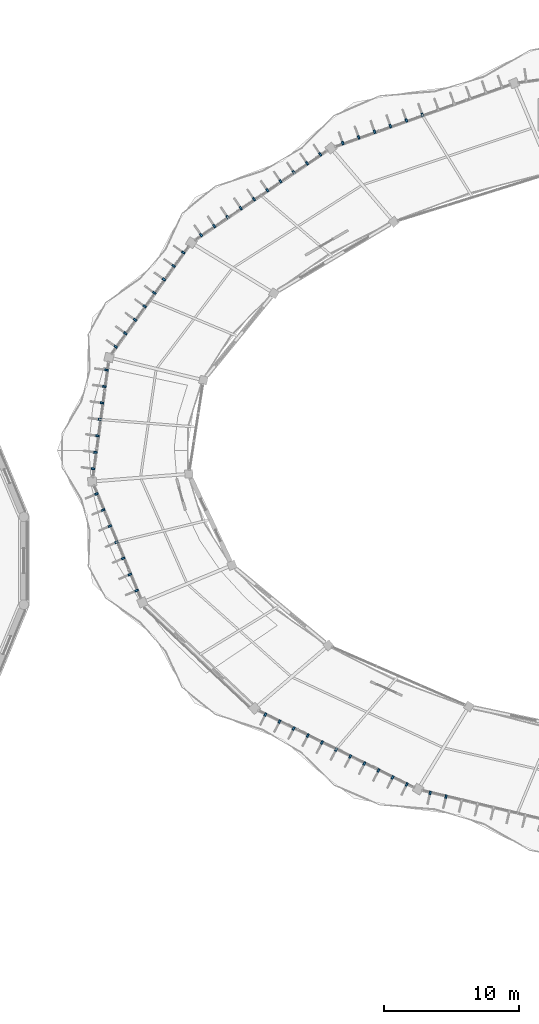
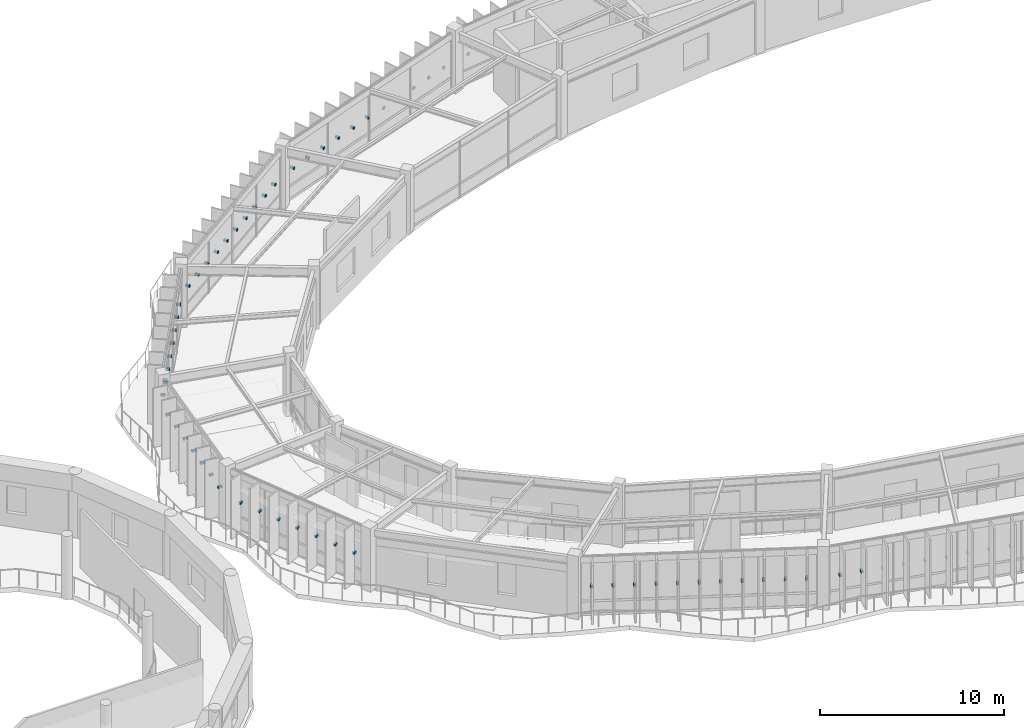
# One storey, part 100 of 114: 51 discrete accessories.
"""IFC4 building model written with IfcOpenShell, lengths in metres."""

from ifc_helpers import new_model, si_unit, direction, frame, origin, origin_2d, place, context, subcontext, project, spatial, rectangle, extrude, material, type_object, element, save


model = new_model("IFC4")

# Units and contexts
model_context = context("Model", 3, precision=1e-05, world=origin(), true_north=direction((0.0, 1.0)))
body_context = subcontext(model_context, "Body", "Model", "MODEL_VIEW")
ifc_project = project(units=[si_unit("LENGTHUNIT", "METRE"), si_unit("AREAUNIT", "SQUARE_METRE"), si_unit("VOLUMEUNIT", "CUBIC_METRE"), si_unit("PLANEANGLEUNIT", "RADIAN"), si_unit("MASSUNIT", "GRAM", prefix="KILO"), si_unit("THERMODYNAMICTEMPERATUREUNIT", "KELVIN"), si_unit("POWERUNIT", "WATT")], contexts=[model_context])

# Site, building, storey
site_placement = place(None, origin())
site = spatial("IfcSite", under=ifc_project, at=site_placement, CompositionType="ELEMENT")
building_placement = place(site_placement, origin())
building = spatial("IfcBuilding", under=site, at=building_placement, Name="Darbajah Civic Hall", CompositionType="ELEMENT")
storey_placement = place(building_placement, frame((0.0, 0.0, 13.800048828125)))
storey = spatial("IfcBuildingStorey", under=building, at=storey_placement, Name="L03", CompositionType="ELEMENT", Elevation=13.800048828125)

# Discrete accessories
ifc_material = material(Name="Stainless Steel S355JR", Category="steel")
discrete_accessory_type = type_object("IfcDiscreteAccessoryType", Name="Stainless Facade Support Bracket", PredefinedType="BRACKET", material=ifc_material)
for number, where, z_axis, x_axis, name in (
    (1, (62.760498046875, 114.69970703125, 1.89013671875), (0.0, 0.0, 1.0), (-0.334135882844, 0.94252491309, 0.0), "L03 shading fin bracket 06-6"),
    (2, (61.579833984375, 114.28125, 1.89013671875), (0.0, 0.0, 1.0), (-0.334135882844, 0.94252491309, 0.0), "L03 shading fin bracket 06-7"),
    (3, (60.39892578125, 113.86279296875, 1.89013671875), (0.0, 0.0, 1.0), (-0.334135882844, 0.94252491309, 0.0), "L03 shading fin bracket 06-8"),
    (4, (59.21826171875, 113.444091796875, 1.89013671875), (0.0, 0.0, 1.0), (-0.334135882844, 0.94252491309, 0.0), "L03 shading fin bracket 06-9"),
    (5, (58.037353515625, 113.025634765625, 1.89013671875), (0.0, 0.0, 1.0), (-0.334135882844, 0.94252491309, 0.0), "L03 shading fin bracket 06-10"),
    (6, (56.856689453125, 112.60693359375, 1.89013671875), (0.0, 0.0, 1.0), (-0.334135882844, 0.94252491309, 0.0), "L03 shading fin bracket 06-11"),
    (7, (55.1826171875, 111.765625, 1.89013671875), (0.0, 0.0, 1.0), (-0.560783509816, 0.827962472047, 0.0), "L03 shading fin bracket 07-1"),
    (8, (54.20068359375, 111.1005859375, 1.89013671875), (0.0, 0.0, 1.0), (-0.560783509816, 0.827962472047, 0.0), "L03 shading fin bracket 07-2"),
    (9, (53.218505859375, 110.435302734375, 1.89013671875), (0.0, 0.0, 1.0), (-0.560783509816, 0.827962472047, 0.0), "L03 shading fin bracket 07-3"),
    (10, (52.236328125, 109.770263671875, 1.89013671875), (0.0, 0.0, 1.0), (-0.560783509816, 0.827962472047, 0.0), "L03 shading fin bracket 07-4"),
    (11, (51.254150390625, 109.10498046875, 1.89013671875), (0.0, 0.0, 1.0), (-0.560783509816, 0.827962472047, 0.0), "L03 shading fin bracket 07-5"),
    (12, (50.27197265625, 108.43994140625, 1.89013671875), (0.0, 0.0, 1.0), (-0.560783509816, 0.827962472047, 0.0), "L03 shading fin bracket 07-6"),
    (13, (49.289794921875, 107.77490234375, 1.89013671875), (0.0, 0.0, 1.0), (-0.560783509816, 0.827962472047, 0.0), "L03 shading fin bracket 07-7"),
    (14, (48.307861328125, 107.109619140625, 1.89013671875), (0.0, 0.0, 1.0), (-0.560783509816, 0.827962472047, 0.0), "L03 shading fin bracket 07-8"),
    (15, (47.32568359375, 106.444580078125, 1.89013671875), (0.0, 0.0, 1.0), (-0.560783509816, 0.827962472047, 0.0), "L03 shading fin bracket 07-9"),
    (16, (46.343505859375, 105.779296875, 1.89013671875), (0.0, 0.0, 1.0), (-0.560783509816, 0.827962472047, 0.0), "L03 shading fin bracket 07-10"),
    (17, (45.018310546875, 104.48291015625, 1.89013671875), (0.0, 0.0, 1.0), (-0.812999149039, 0.582264874145, 0.0), "L03 shading fin bracket 08-1"),
    (18, (44.302734375, 103.483642578125, 1.89013671875), (0.0, 0.0, 1.0), (-0.812999149039, 0.582264874145, 0.0), "L03 shading fin bracket 08-2"),
    (19, (43.5869140625, 102.484130859375, 1.89013671875), (0.0, 0.0, 1.0), (-0.812999149039, 0.582264874145, 0.0), "L03 shading fin bracket 08-3"),
    (20, (42.871337890625, 101.48486328125, 1.89013671875), (0.0, 0.0, 1.0), (-0.812999149039, 0.582264874145, 0.0), "L03 shading fin bracket 08-4"),
    (21, (42.155517578125, 100.4853515625, 1.89013671875), (0.0, 0.0, 1.0), (-0.812999149039, 0.582264874145, 0.0), "L03 shading fin bracket 08-5"),
    (22, (41.43994140625, 99.486083984375, 1.89013671875), (0.0, 0.0, 1.0), (-0.812999149039, 0.582264874145, 0.0), "L03 shading fin bracket 08-6"),
    (23, (40.72412109375, 98.486572265625, 1.89013671875), (0.0, 0.0, 1.0), (-0.812999149039, 0.582264874145, 0.0), "L03 shading fin bracket 08-7"),
    (24, (40.008544921875, 97.487060546875, 1.89013671875), (0.0, 0.0, 1.0), (-0.812999149039, 0.582264874145, 0.0), "L03 shading fin bracket 08-8"),
    (25, (39.322509765625, 95.759765625, 1.89013671875), (0.0, 0.0, 1.0), (-0.990865897387, 0.134850930274, 0.0), "L03 shading fin bracket 09-1"),
    (26, (39.15625, 94.537841796875, 1.89013671875), (0.0, 0.0, 1.0), (-0.990865897387, 0.134850930274, 0.0), "L03 shading fin bracket 09-2"),
    (27, (38.989990234375, 93.31591796875, 1.89013671875), (0.0, 0.0, 1.0), (-0.990865897387, 0.134850930274, 0.0), "L03 shading fin bracket 09-3"),
    (28, (38.82373046875, 92.093994140625, 1.89013671875), (0.0, 0.0, 1.0), (-0.990865897387, 0.134850930274, 0.0), "L03 shading fin bracket 09-4"),
    (29, (38.657470703125, 90.872314453125, 1.89013671875), (0.0, 0.0, 1.0), (-0.990865897387, 0.134850930274, 0.0), "L03 shading fin bracket 09-5"),
    (30, (38.4912109375, 89.650390625, 1.89013671875), (0.0, 0.0, 1.0), (-0.990865897387, 0.134850930274, 0.0), "L03 shading fin bracket 09-6"),
    (31, (38.324951171875, 88.428466796875, 1.89013671875), (0.0, 0.0, 1.0), (-0.990865897387, 0.134850930274, 0.0), "L03 shading fin bracket 09-7"),
    (32, (38.5751953125, 86.5625, 1.89013671875), (0.0, 0.0, 1.0), (-0.923612143954, -0.383328328644, 0.0), "L03 shading fin bracket 10-1"),
    (33, (39.071533203125, 85.36669921875, 1.89013671875), (0.0, 0.0, 1.0), (-0.923612143954, -0.383328328644, 0.0), "L03 shading fin bracket 10-2"),
    (34, (39.56787109375, 84.1708984375, 1.89013671875), (0.0, 0.0, 1.0), (-0.923612143954, -0.383328328644, 0.0), "L03 shading fin bracket 10-3"),
    (35, (40.064208984375, 82.97509765625, 1.89013671875), (0.0, 0.0, 1.0), (-0.923612143954, -0.383328328644, 0.0), "L03 shading fin bracket 10-4"),
    (36, (40.560546875, 81.779296875, 1.89013671875), (0.0, 0.0, 1.0), (-0.923612143954, -0.383328328644, 0.0), "L03 shading fin bracket 10-5"),
    (37, (41.056884765625, 80.58349609375, 1.89013671875), (0.0, 0.0, 1.0), (-0.923612143954, -0.383328328644, 0.0), "L03 shading fin bracket 10-6"),
    (38, (41.552978515625, 79.3876953125, 1.89013671875), (0.0, 0.0, 1.0), (-0.923612143954, -0.383328328644, 0.0), "L03 shading fin bracket 10-7"),
    (39, (51.11083984375, 70.183349609375, 1.89013671875), (0.0, 0.0, 1.0), (-0.442914717678, -0.89656374724, 0.0), "L03 shading fin bracket 12-1"),
    (40, (52.160400390625, 69.664794921875, 1.89013671875), (0.0, 0.0, 1.0), (-0.442914717678, -0.89656374724, 0.0), "L03 shading fin bracket 12-2"),
    (41, (53.210205078125, 69.146240234375, 1.89013671875), (0.0, 0.0, 1.0), (-0.442914717678, -0.89656374724, 0.0), "L03 shading fin bracket 12-3"),
    (42, (54.260009765625, 68.627685546875, 1.89013671875), (0.0, 0.0, 1.0), (-0.442914717678, -0.89656374724, 0.0), "L03 shading fin bracket 12-4"),
    (43, (55.309814453125, 68.10888671875, 1.89013671875), (0.0, 0.0, 1.0), (-0.442914717678, -0.89656374724, 0.0), "L03 shading fin bracket 12-5"),
    (44, (56.359375, 67.59033203125, 1.89013671875), (0.0, 0.0, 1.0), (-0.442914717678, -0.89656374724, 0.0), "L03 shading fin bracket 12-6"),
    (45, (57.4091796875, 67.07177734375, 1.89013671875), (0.0, 0.0, 1.0), (-0.442914717678, -0.89656374724, 0.0), "L03 shading fin bracket 12-7"),
    (46, (58.458740234375, 66.55322265625, 1.89013671875), (0.0, 0.0, 1.0), (-0.442914717678, -0.89656374724, 0.0), "L03 shading fin bracket 12-8"),
    (47, (59.508544921875, 66.03466796875, 1.89013671875), (0.0, 0.0, 1.0), (-0.442914717678, -0.89656374724, 0.0), "L03 shading fin bracket 12-9"),
    (48, (60.55810546875, 65.51611328125, 1.89013671875), (0.0, 0.0, 1.0), (-0.442914717678, -0.89656374724, 0.0), "L03 shading fin bracket 12-10"),
    (49, (61.60791015625, 64.997314453125, 1.89013671875), (0.0, 0.0, 1.0), (-0.442914717678, -0.89656374724, 0.0), "L03 shading fin bracket 12-11"),
    (50, (63.344482421875, 64.37158203125, 1.89013671875), (0.0, 0.0, 1.0), (-0.232936200179, -0.972492018808, 0.0), "L03 shading fin bracket 13-1"),
    (51, (64.519775390625, 64.090087890625, 1.89013671875), (0.0, 0.0, 1.0), (-0.232936200179, -0.972492018808, 0.0), "L03 shading fin bracket 13-2"),
):
    element("IfcDiscreteAccessory", number, at=place(storey_placement, frame(where, z_axis=z_axis, x_axis=x_axis)), inside=storey, type_object=discrete_accessory_type, Name=name, PredefinedType="BRACKET", context=body_context, shape_type="SweptSolid", body=[
        extrude(rectangle(XDim=0.260009765625, YDim=0.139892578125, at=origin_2d()), origin(), (0.0, 0.0, 1.0), 0.139892578125),
    ])

save(model, "model.ifc")
